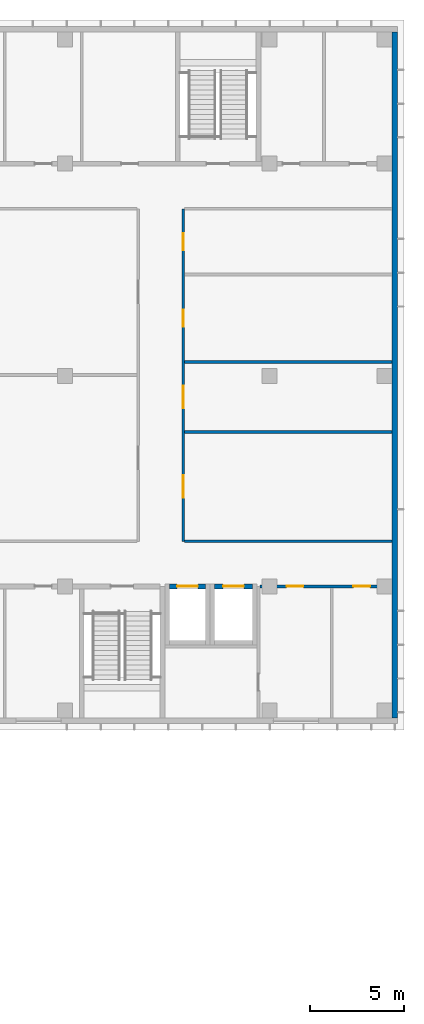
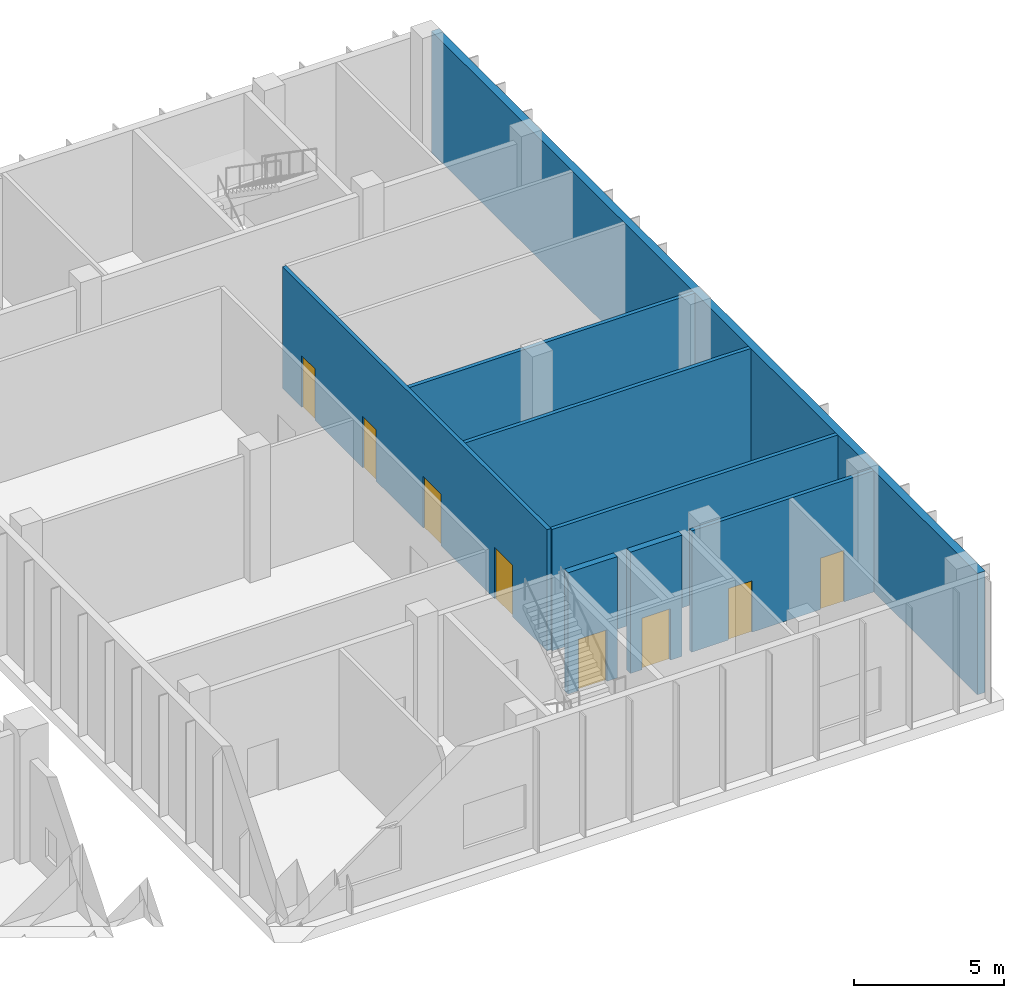
# One storey, part 24 of 32: 8 doors, 8 walls, 8 openings.
"""IFC4 building model written with IfcOpenShell, lengths in metres."""

from ifc_helpers import new_model, si_unit, direction, frame, frame_2d, origin, place, context, subcontext, project, spatial, rectangle, extrude, material, layer, layer_set, type_object, element, fill, save


model = new_model("IFC4")

# Units and contexts
model_context = context("Model", 3, precision=1e-05, world=origin(), true_north=direction((0.0, 1.0)))
body_context = subcontext(model_context, "Body", "Model", "MODEL_VIEW")
ifc_project = project(units=[si_unit("LENGTHUNIT", "METRE"), si_unit("AREAUNIT", "SQUARE_METRE"), si_unit("VOLUMEUNIT", "CUBIC_METRE"), si_unit("PLANEANGLEUNIT", "RADIAN"), si_unit("MASSUNIT", "GRAM", prefix="KILO")], contexts=[model_context])

# Site, building, storey
site_placement = place(None, origin())
site = spatial("IfcSite", under=ifc_project, at=site_placement, CompositionType="ELEMENT")
building_placement = place(site_placement, origin())
building = spatial("IfcBuilding", under=site, at=building_placement, Name="Basin Gate Institute", CompositionType="ELEMENT")
storey_placement = place(building_placement, frame((0.0, 0.0, 11.39990234375)))
storey = spatial("IfcBuildingStorey", under=building, at=storey_placement, Name="L02", CompositionType="ELEMENT", Elevation=11.39990234375)

# Wall
ifc_material_1 = material(Name="Insulated sandwich panel, mineral wool core, galvanised sheet faces")
ifc_layer_1 = layer(ifc_material_1, 0.300048828125)
ifc_layer_set_1 = layer_set([ifc_layer_1], Name="Clean block insulated panel wall W80 EI 60")
wall_type_1 = type_object("IfcWallType", Name="Clean block insulated panel wall W80 EI 60", PredefinedType="SOLIDWALL", material=ifc_layer_set_1)
wall_1_placement = place(storey_placement, frame((151.050048828125, 70.300048828125, 0.0), z_axis=(0.0, 0.0, 1.0), x_axis=(0.0, 1.0, 0.0)))
element("IfcWall", 1, at=wall_1_placement, inside=storey, type_object=wall_type_1, material=ifc_layer_set_1, Name="Clean block insulated panel wall east L02", PredefinedType="SOLIDWALL", context=body_context, shape_type="SweptSolid", body=[
    extrude(rectangle(XDim=36.5, YDim=0.300048828125, at=frame_2d((18.25, 0.0))), origin(), (0.0, 0.0, 1.0), 4.9501953125),
])

# Wall, openings, doors
ifc_material_2 = material(Name="Gypsum board partition on steel studs, 60 minute", Category="steel")
ifc_layer_2 = layer(ifc_material_2, 0.14990234375)
ifc_layer_set_2 = layer_set([ifc_layer_2], Name="Gypsum board partition on steel studs, 60 minute")
wall_type_2 = type_object("IfcWallType", Name="Clean block partition PW72 EI 60", PredefinedType="SOLIDWALL", material=ifc_layer_set_2)
wall_2_placement = place(storey_placement, frame((143.875, 77.300048828125, 0.0), z_axis=(0.0, 0.0, 1.0), x_axis=(1.0, 0.0, 0.0)))
wall_2 = element("IfcWall", 2, at=wall_2_placement, inside=storey, type_object=wall_type_2, material=ifc_layer_set_2, Name="Clean block partition Cx7730-2 L02", PredefinedType="SOLIDWALL", context=body_context, shape_type="SweptSolid", body=[
    extrude(rectangle(XDim=7.02490234375, YDim=0.14990234375, at=frame_2d((3.512451171875, 0.0))), origin(), (0.0, 0.0, 1.0), 4.9501953125),
])
opening_1_placement = place(wall_2_placement, frame((1.425048828125, 0.0, 0.0)))
opening_1 = element("IfcOpeningElement", 3, at=opening_1_placement, cuts=wall_2, Name="Opening D1040", PredefinedType="OPENING", context=body_context, shape_type="SweptSolid", body=[
    extrude(rectangle(XDim=0.89990234375, YDim=2.10009765625, at=frame_2d((0.449951171875, 1.050048828125))), frame((0.0, 0.0849609375, 0.0), z_axis=(0.0, -1.0, 0.0), x_axis=(1.0, 0.0, 0.0)), (0.0, 0.0, 1.0), 0.169921875),
])
opening_2_placement = place(wall_2_placement, frame((4.97509765625, 0.0, 0.0)))
opening_2 = element("IfcOpeningElement", 4, at=opening_2_placement, cuts=wall_2, Name="Opening D1041", PredefinedType="OPENING", context=body_context, shape_type="SweptSolid", body=[
    extrude(rectangle(XDim=0.89990234375, YDim=2.10009765625, at=frame_2d((0.449951171875, 1.050048828125))), frame((0.0, 0.0849609375, 0.0), z_axis=(0.0, -1.0, 0.0), x_axis=(1.0, 0.0, 0.0)), (0.0, 0.0, 1.0), 0.169921875),
])
ifc_material_3 = material(Name="Timber door leaf in steel frame", Category="steel")
door_type_1 = type_object("IfcDoorType", Name="Block door 900 single swing", OperationType="NOTDEFINED", PredefinedType="DOOR", material=ifc_material_3)
door_1_placement = place(opening_1_placement, frame((0.89990234375, 0.0, 0.0), z_axis=(0.0, 0.0, 1.0), x_axis=(-1.0, 0.0, 0.0)))
door_1 = element("IfcDoor", 5, at=door_1_placement, inside=storey, type_object=door_type_1, material=ifc_material_3, Name="Meeting Pod door L02", OperationType="SINGLE_SWING_RIGHT", OverallHeight=2.10009765625, OverallWidth=0.89990234375, PredefinedType="DOOR", context=body_context, shape_type="SweptSolid", body=[
    extrude(rectangle(XDim=0.89990234375, YDim=2.10009765625, at=frame_2d((0.449951171875, 1.050048828125))), frame((0.0, 0.02490234375, 0.0), z_axis=(0.0, -1.0, 0.0), x_axis=(1.0, 0.0, 0.0)), (0.0, 0.0, 1.0), 0.050048828125),
])
fill(opening_1, door_1)
door_2_placement = place(opening_2_placement, frame((0.89990234375, 0.0, 0.0), z_axis=(0.0, 0.0, 1.0), x_axis=(-1.0, 0.0, 0.0)))
door_2 = element("IfcDoor", 6, at=door_2_placement, inside=storey, type_object=door_type_1, material=ifc_material_3, Name="Process Support Store door L02", OperationType="SINGLE_SWING_LEFT", OverallHeight=2.10009765625, OverallWidth=0.89990234375, PredefinedType="DOOR", context=body_context, shape_type="SweptSolid", body=[
    extrude(rectangle(XDim=0.89990234375, YDim=2.10009765625, at=frame_2d((0.449951171875, 1.050048828125))), frame((0.0, 0.02490234375, 0.0), z_axis=(0.0, -1.0, 0.0), x_axis=(1.0, 0.0, 0.0)), (0.0, 0.0, 1.0), 0.050048828125),
])
fill(opening_2, door_2)

# Walls
for number, where, z_axis, x_axis, name in (
    (7, (139.875, 79.699951171875, 0.0), (0.0, 0.0, 1.0), (1.0, 0.0, 0.0), "Clean block partition Cx7970-4 L02"),
    (8, (139.875, 85.52197265625, 0.0), (0.0, 0.0, 1.0), (1.0, 0.0, 0.0), "Clean block partition Cx8552-5 L02"),
    (9, (139.875, 89.2490234375, 0.0), (0.0, 0.0, 1.0), (1.0, 0.0, 0.0), "Clean block partition Cx8925-7 L02"),
):
    element("IfcWall", number, at=place(storey_placement, frame(where, z_axis=z_axis, x_axis=x_axis)), inside=storey, type_object=wall_type_2, material=ifc_layer_set_2, Name=name, PredefinedType="SOLIDWALL", context=body_context, shape_type="SweptSolid", body=[
        extrude(rectangle(XDim=11.02490234375, YDim=0.14990234375, at=frame_2d((5.512451171875, 0.0))), origin(), (0.0, 0.0, 1.0), 4.9501953125),
    ])

# Wall, openings, doors
wall_3_placement = place(storey_placement, frame((139.800048828125, 79.699951171875, 0.0), z_axis=(0.0, 0.0, 1.0), x_axis=(0.0, 1.0, 0.0)))
wall_3 = element("IfcWall", 10, at=wall_3_placement, inside=storey, type_object=wall_type_2, material=ifc_layer_set_2, Name="Clean block partition Cy13980-20 L02", PredefinedType="SOLIDWALL", context=body_context, shape_type="SweptSolid", body=[
    extrude(rectangle(XDim=17.699951171875, YDim=0.14990234375, at=frame_2d((8.85009765625, 0.0))), origin(), (0.0, 0.0, 1.0), 4.9501953125),
])
opening_3_placement = place(wall_3_placement, frame((2.31103515625, 0.0, 0.0)))
opening_3 = element("IfcOpeningElement", 11, at=opening_3_placement, cuts=wall_3, Name="Opening D1044", PredefinedType="OPENING", context=body_context, shape_type="SweptSolid", body=[
    extrude(rectangle(XDim=1.199951171875, YDim=2.10009765625, at=frame_2d((0.60009765625, 1.050048828125))), frame((0.0, 0.0849609375, 0.0), z_axis=(0.0, -1.0, 0.0), x_axis=(1.0, 0.0, 0.0)), (0.0, 0.0, 1.0), 0.169921875),
])
opening_4_placement = place(wall_3_placement, frame((7.08544921875, 0.0, 0.0)))
opening_4 = element("IfcOpeningElement", 12, at=opening_4_placement, cuts=wall_3, Name="Opening D1045", PredefinedType="OPENING", context=body_context, shape_type="SweptSolid", body=[
    extrude(rectangle(XDim=1.199951171875, YDim=2.10009765625, at=frame_2d((0.60009765625, 1.050048828125))), frame((0.0, 0.0849609375, 0.0), z_axis=(0.0, -1.0, 0.0), x_axis=(1.0, 0.0, 0.0)), (0.0, 0.0, 1.0), 0.169921875),
])
opening_5_placement = place(wall_3_placement, frame((11.427978515625, 0.0, 0.0)))
opening_5 = element("IfcOpeningElement", 13, at=opening_5_placement, cuts=wall_3, Name="Opening D1046", PredefinedType="OPENING", context=body_context, shape_type="SweptSolid", body=[
    extrude(rectangle(XDim=0.89990234375, YDim=2.10009765625, at=frame_2d((0.449951171875, 1.050048828125))), frame((0.0, 0.0849609375, 0.0), z_axis=(0.0, -1.0, 0.0), x_axis=(1.0, 0.0, 0.0)), (0.0, 0.0, 1.0), 0.169921875),
])
opening_6_placement = place(wall_3_placement, frame((15.50341796875, 0.0, 0.0)))
opening_6 = element("IfcOpeningElement", 14, at=opening_6_placement, cuts=wall_3, Name="Opening D1047", PredefinedType="OPENING", context=body_context, shape_type="SweptSolid", body=[
    extrude(rectangle(XDim=0.89990234375, YDim=2.10009765625, at=frame_2d((0.449951171875, 1.050048828125))), frame((0.0, 0.0849609375, 0.0), z_axis=(0.0, -1.0, 0.0), x_axis=(1.0, 0.0, 0.0)), (0.0, 0.0, 1.0), 0.169921875),
])
ifc_material_4 = material(Name="Timber door leaf in steel frame", Category="steel")
door_type_2 = type_object("IfcDoorType", Name="Block door 1200 single swing", OperationType="NOTDEFINED", PredefinedType="DOOR", material=ifc_material_4)
door_3_placement = place(opening_3_placement, frame((1.199951171875, 0.0, 0.0), z_axis=(0.0, 0.0, 1.0), x_axis=(-1.0, 0.0, 0.0)))
door_3 = element("IfcDoor", 15, at=door_3_placement, inside=storey, type_object=door_type_2, material=ifc_material_4, Name="Gowning Airlock door L02", OperationType="SINGLE_SWING_RIGHT", OverallHeight=2.10009765625, OverallWidth=1.199951171875, PredefinedType="DOOR", context=body_context, shape_type="SweptSolid", body=[
    extrude(rectangle(XDim=1.199951171875, YDim=2.10009765625, at=frame_2d((0.60009765625, 1.050048828125))), frame((0.0, 0.02490234375, 0.0), z_axis=(0.0, -1.0, 0.0), x_axis=(1.0, 0.0, 0.0)), (0.0, 0.0, 1.0), 0.050048828125),
])
fill(opening_3, door_3)
door_4_placement = place(opening_4_placement, frame((1.199951171875, 0.0, 0.0), z_axis=(0.0, 0.0, 1.0), x_axis=(-1.0, 0.0, 0.0)))
door_4 = element("IfcDoor", 16, at=door_4_placement, inside=storey, type_object=door_type_2, material=ifc_material_4, Name="Material Airlock door L02", OperationType="SINGLE_SWING_RIGHT", OverallHeight=2.10009765625, OverallWidth=1.199951171875, PredefinedType="DOOR", context=body_context, shape_type="SweptSolid", body=[
    extrude(rectangle(XDim=1.199951171875, YDim=2.10009765625, at=frame_2d((0.60009765625, 1.050048828125))), frame((0.0, 0.02490234375, 0.0), z_axis=(0.0, -1.0, 0.0), x_axis=(1.0, 0.0, 0.0)), (0.0, 0.0, 1.0), 0.050048828125),
])
fill(opening_4, door_4)
door_5_placement = place(opening_5_placement, frame((0.89990234375, 0.0, 0.0), z_axis=(0.0, 0.0, 1.0), x_axis=(-1.0, 0.0, 0.0)))
door_5 = element("IfcDoor", 17, at=door_5_placement, inside=storey, type_object=door_type_1, material=ifc_material_3, Name="Utility Room door L02", OperationType="SINGLE_SWING_LEFT", OverallHeight=2.10009765625, OverallWidth=0.89990234375, PredefinedType="DOOR", context=body_context, shape_type="SweptSolid", body=[
    extrude(rectangle(XDim=0.89990234375, YDim=2.10009765625, at=frame_2d((0.449951171875, 1.050048828125))), frame((0.0, 0.02490234375, 0.0), z_axis=(0.0, -1.0, 0.0), x_axis=(1.0, 0.0, 0.0)), (0.0, 0.0, 1.0), 0.050048828125),
])
fill(opening_5, door_5)
door_6_placement = place(opening_6_placement, frame((0.89990234375, 0.0, 0.0), z_axis=(0.0, 0.0, 1.0), x_axis=(-1.0, 0.0, 0.0)))
door_6 = element("IfcDoor", 18, at=door_6_placement, inside=storey, type_object=door_type_1, material=ifc_material_3, Name="Female WC door L02", OperationType="SINGLE_SWING_LEFT", OverallHeight=2.10009765625, OverallWidth=0.89990234375, PredefinedType="DOOR", context=body_context, shape_type="SweptSolid", body=[
    extrude(rectangle(XDim=0.89990234375, YDim=2.10009765625, at=frame_2d((0.449951171875, 1.050048828125))), frame((0.0, 0.02490234375, 0.0), z_axis=(0.0, -1.0, 0.0), x_axis=(1.0, 0.0, 0.0)), (0.0, 0.0, 1.0), 0.050048828125),
])
fill(opening_6, door_6)

# Wall, opening, door
ifc_material_5 = material(Name="Concrete 40 MPa", Category="concrete")
ifc_layer_3 = layer(ifc_material_5, 0.25)
ifc_layer_set_3 = layer_set([ifc_layer_3], Name="Concrete 40 MPa")
wall_type_3 = type_object("IfcWallType", Name="Lift shaft enclosure wall W76 EI 120", PredefinedType="SOLIDWALL", material=ifc_layer_set_3)
wall_4_placement = place(storey_placement, frame((139.074951171875, 77.300048828125, 0.0), z_axis=(0.0, 0.0, 1.0), x_axis=(1.0, 0.0, 0.0)))
wall_4 = element("IfcWall", 19, at=wall_4_placement, inside=storey, type_object=wall_type_3, material=ifc_layer_set_3, Name="Lift shaft enclosure LP8 N L02", PredefinedType="SOLIDWALL", context=body_context, shape_type="SweptSolid", body=[
    extrude(rectangle(XDim=1.900146484375, YDim=0.25, at=frame_2d((0.9501953125, 0.0))), origin(), (0.0, 0.0, 1.0), 4.9501953125),
])
opening_7_placement = place(wall_4_placement, frame((0.39990234375, 0.0, 0.0)))
opening_7 = element("IfcOpeningElement", 20, at=opening_7_placement, cuts=wall_4, Name="Opening LW45", PredefinedType="OPENING", context=body_context, shape_type="SweptSolid", body=[
    extrude(rectangle(XDim=1.10009765625, YDim=2.10009765625, at=frame_2d((0.550048828125, 1.050048828125))), frame((0.0, 0.135009765625, 0.0), z_axis=(0.0, -1.0, 0.0), x_axis=(1.0, 0.0, 0.0)), (0.0, 0.0, 1.0), 0.27001953125),
])
ifc_material_6 = material(Name="Stainless steel", Category="steel")
door_type_3 = type_object("IfcDoorType", Name="FD60 Lift landing door LD", OperationType="SLIDING_TO_LEFT", PredefinedType="DOOR", material=ifc_material_6)
door_7_placement = place(opening_7_placement, origin())
door_7 = element("IfcDoor", 21, at=door_7_placement, inside=storey, type_object=door_type_3, material=ifc_material_6, Name="Lift landing door LP8 L02", OperationType="SLIDING_TO_LEFT", OverallHeight=2.10009765625, OverallWidth=1.10009765625, PredefinedType="DOOR", context=body_context, shape_type="SweptSolid", body=[
    extrude(rectangle(XDim=1.10009765625, YDim=2.10009765625, at=frame_2d((0.550048828125, 1.050048828125))), frame((0.0, 0.02490234375, 0.0), z_axis=(0.0, -1.0, 0.0), x_axis=(1.0, 0.0, 0.0)), (0.0, 0.0, 1.0), 0.050048828125),
])
fill(opening_7, door_7)

wall_5_placement = place(storey_placement, frame((141.47509765625, 77.300048828125, 0.0), z_axis=(0.0, 0.0, 1.0), x_axis=(1.0, 0.0, 0.0)))
wall_5 = element("IfcWall", 22, at=wall_5_placement, inside=storey, type_object=wall_type_3, material=ifc_layer_set_3, Name="Lift shaft enclosure LG1 N L02", PredefinedType="SOLIDWALL", context=body_context, shape_type="SweptSolid", body=[
    extrude(rectangle(XDim=2.0, YDim=0.25, at=frame_2d((1.0, 0.0))), origin(), (0.0, 0.0, 1.0), 4.9501953125),
])
opening_8_placement = place(wall_5_placement, frame((0.449951171875, 0.0, 0.0)))
opening_8 = element("IfcOpeningElement", 23, at=opening_8_placement, cuts=wall_5, Name="Opening LW46", PredefinedType="OPENING", context=body_context, shape_type="SweptSolid", body=[
    extrude(rectangle(XDim=1.10009765625, YDim=2.10009765625, at=frame_2d((0.550048828125, 1.050048828125))), frame((0.0, 0.135009765625, 0.0), z_axis=(0.0, -1.0, 0.0), x_axis=(1.0, 0.0, 0.0)), (0.0, 0.0, 1.0), 0.27001953125),
])
door_8_placement = place(opening_8_placement, origin())
door_8 = element("IfcDoor", 24, at=door_8_placement, inside=storey, type_object=door_type_3, material=ifc_material_6, Name="Lift landing door LG1 L02", OperationType="SLIDING_TO_LEFT", OverallHeight=2.10009765625, OverallWidth=1.10009765625, PredefinedType="DOOR", context=body_context, shape_type="SweptSolid", body=[
    extrude(rectangle(XDim=1.10009765625, YDim=2.10009765625, at=frame_2d((0.550048828125, 1.050048828125))), frame((0.0, 0.02490234375, 0.0), z_axis=(0.0, -1.0, 0.0), x_axis=(1.0, 0.0, 0.0)), (0.0, 0.0, 1.0), 0.050048828125),
])
fill(opening_8, door_8)

save(model, "model.ifc")
